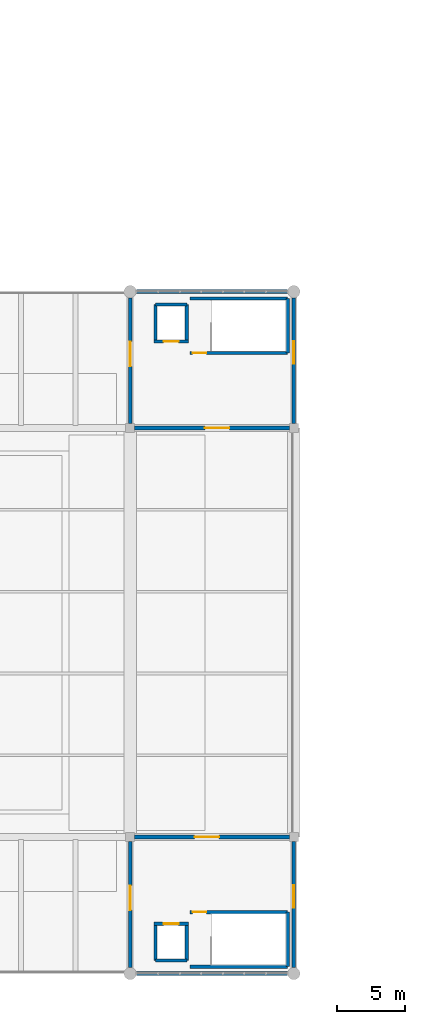
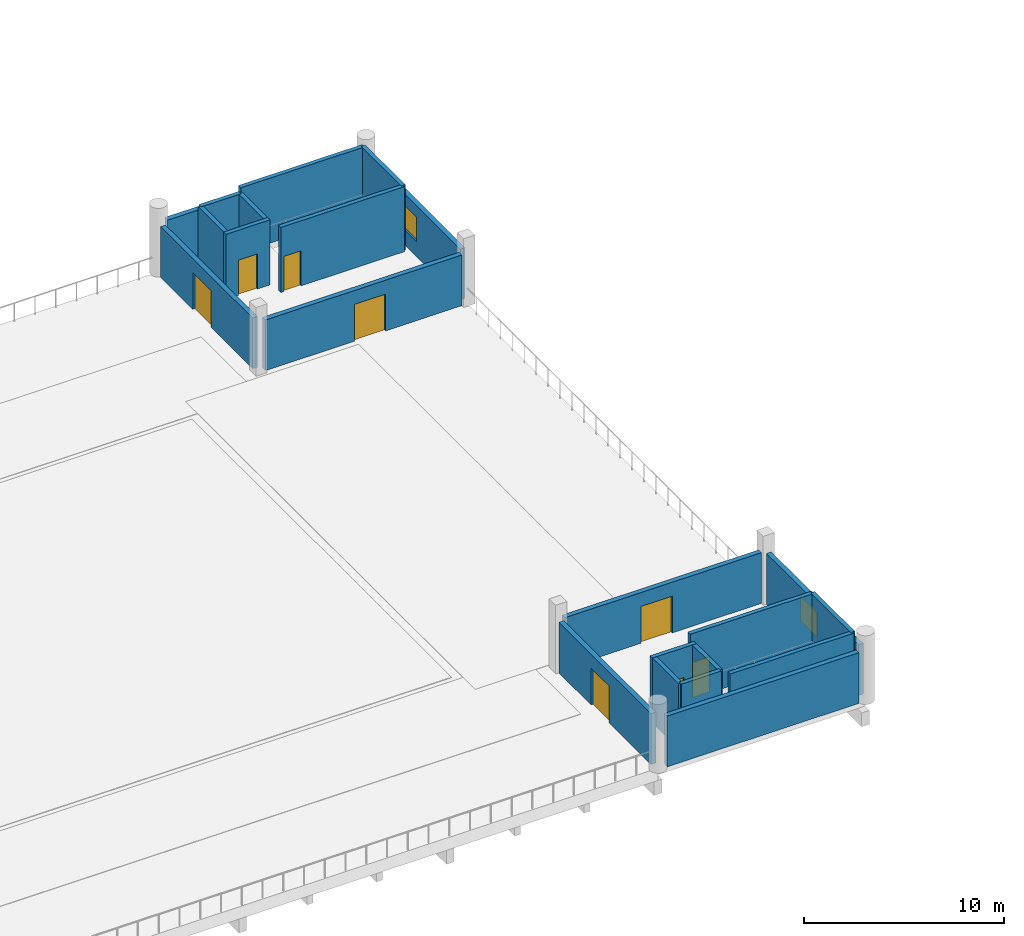
# One storey, part 103 of 111: 22 walls, 8 doors, 2 windows, 10 openings.
"""IFC4 building model written with IfcOpenShell, lengths in metres."""

from ifc_helpers import new_model, si_unit, direction, frame, frame_2d, origin, place, context, subcontext, project, spatial, rectangle, extrude, material, layer, layer_set, type_object, element, fill, save


model = new_model("IFC4")

# Units and contexts
model_context = context("Model", 3, precision=1e-05, world=origin(), true_north=direction((0.0, 1.0)))
body_context = subcontext(model_context, "Body", "Model", "MODEL_VIEW")
ifc_project = project(units=[si_unit("LENGTHUNIT", "METRE"), si_unit("AREAUNIT", "SQUARE_METRE"), si_unit("VOLUMEUNIT", "CUBIC_METRE"), si_unit("PLANEANGLEUNIT", "RADIAN"), si_unit("MASSUNIT", "GRAM", prefix="KILO")], contexts=[model_context])

# Site, building, storey
site_placement = place(None, origin())
site = spatial("IfcSite", under=ifc_project, at=site_placement, CompositionType="ELEMENT")
building_placement = place(site_placement, origin())
building = spatial("IfcBuilding", under=site, at=building_placement, Name="Mersad Railyard Sports Hall", CompositionType="ELEMENT")
storey_placement = place(building_placement, frame((0.0, 0.0, 9.0)))
storey = spatial("IfcBuildingStorey", under=building, at=storey_placement, Name="L02", CompositionType="ELEMENT", Elevation=9.0)

# Wall, opening, door
ifc_material_1 = material(Name="Precast concrete C45/55", Category="concrete")
ifc_layer_1 = layer(ifc_material_1, 0.280029296875)
ifc_layer_set_1 = layer_set([ifc_layer_1], Name="Precast concrete C45/55")
wall_type_1 = type_object("IfcWallType", Name="ARC-WL-EW03", PredefinedType="SOLIDWALL", material=ifc_layer_set_1)
wall_1_placement = place(storey_placement, frame((79.0, 3.949951171875, 0.0), z_axis=(0.0, 0.0, 1.0), x_axis=(0.0, 1.0, 0.0)))
wall_1 = element("IfcWall", 1, at=wall_1_placement, inside=storey, type_object=wall_type_1, Name="External wall EW03-0061", PredefinedType="SOLIDWALL", context=body_context, shape_type="SweptSolid", body=[
    extrude(rectangle(XDim=9.22509765625, YDim=0.280029296875, at=frame_2d((4.612548828125, 0.0))), origin(), (0.0, 0.0, 1.0), 3.10009765625),
])
opening_1_placement = place(wall_1_placement, frame((4.199951171875, 0.0, 0.0)))
opening_1 = element("IfcOpeningElement", 2, at=opening_1_placement, cuts=wall_1, Name="Opening TD01", PredefinedType="OPENING", context=body_context, shape_type="SweptSolid", body=[
    extrude(rectangle(XDim=1.800048828125, YDim=2.25, at=frame_2d((0.89990234375, 1.125))), frame((0.0, 0.14990234375, 0.0), z_axis=(0.0, -1.0, 0.0), x_axis=(1.0, 0.0, 0.0)), (0.0, 0.0, 1.0), 0.300048828125),
])
ifc_material_2 = material(Name="Aluminium 6063-T6", Category="aluminium")
door_type_1 = type_object("IfcDoorType", Name="ARC-DR-TD01", OperationType="NOTDEFINED", PredefinedType="DOOR", material=ifc_material_2)
door_1_placement = place(opening_1_placement, origin())
door_1 = element("IfcDoor", 3, at=door_1_placement, inside=storey, type_object=door_type_1, Name="SE rooftop pitch door TD01-011", OperationType="DOUBLE_DOOR_SINGLE_SWING", OverallHeight=2.25, OverallWidth=1.800048828125, PredefinedType="DOOR", context=body_context, shape_type="SweptSolid", body=[
    extrude(rectangle(XDim=1.800048828125, YDim=2.25, at=frame_2d((0.89990234375, 1.125))), frame((0.0, 0.02490234375, 0.0), z_axis=(0.0, -1.0, 0.0), x_axis=(1.0, 0.0, 0.0)), (0.0, 0.0, 1.0), 0.050048828125),
])
fill(opening_1, door_1)

wall_2_placement = place(storey_placement, frame((79.324951171875, 13.5, 0.0), z_axis=(0.0, 0.0, 1.0), x_axis=(1.0, 0.0, 0.0)))
wall_2 = element("IfcWall", 4, at=wall_2_placement, inside=storey, type_object=wall_type_1, Name="External wall EW03-0062", PredefinedType="SOLIDWALL", context=body_context, shape_type="SweptSolid", body=[
    extrude(rectangle(XDim=11.35009765625, YDim=0.280029296875, at=frame_2d((5.675048828125, 0.0))), origin(), (0.0, 0.0, 1.0), 3.10009765625),
])
opening_2_placement = place(wall_2_placement, frame((4.39990234375, 0.0, 0.0)))
opening_2 = element("IfcOpeningElement", 5, at=opening_2_placement, cuts=wall_2, Name="Opening TD01", PredefinedType="OPENING", context=body_context, shape_type="SweptSolid", body=[
    extrude(rectangle(XDim=1.800048828125, YDim=2.25, at=frame_2d((0.89990234375, 1.125))), frame((0.0, 0.14990234375, 0.0), z_axis=(0.0, -1.0, 0.0), x_axis=(1.0, 0.0, 0.0)), (0.0, 0.0, 1.0), 0.300048828125),
])
door_2_placement = place(opening_2_placement, origin())
door_2 = element("IfcDoor", 6, at=door_2_placement, inside=storey, type_object=door_type_1, Name="SE rooftop pitch door TD01-012", OperationType="DOUBLE_DOOR_SINGLE_SWING", OverallHeight=2.25, OverallWidth=1.800048828125, PredefinedType="DOOR", context=body_context, shape_type="SweptSolid", body=[
    extrude(rectangle(XDim=1.800048828125, YDim=2.25, at=frame_2d((0.89990234375, 1.125))), frame((0.0, 0.02490234375, 0.0), z_axis=(0.0, -1.0, 0.0), x_axis=(1.0, 0.0, 0.0)), (0.0, 0.0, 1.0), 0.050048828125),
])
fill(opening_2, door_2)

# Wall, opening, window
wall_3_placement = place(storey_placement, frame((91.0, 13.175048828125, 0.0), z_axis=(0.0, 0.0, 1.0), x_axis=(0.0, -1.0, 0.0)))
wall_3 = element("IfcWall", 7, at=wall_3_placement, inside=storey, type_object=wall_type_1, Name="External wall EW03-0063", PredefinedType="SOLIDWALL", context=body_context, shape_type="SweptSolid", body=[
    extrude(rectangle(XDim=9.22509765625, YDim=0.280029296875, at=frame_2d((4.612548828125, 0.0))), origin(), (0.0, 0.0, 1.0), 3.10009765625),
])
opening_3_placement = place(wall_3_placement, frame((3.199951171875, 0.0, 0.89990234375)))
opening_3 = element("IfcOpeningElement", 8, at=opening_3_placement, cuts=wall_3, Name="Opening W04", PredefinedType="OPENING", context=body_context, shape_type="SweptSolid", body=[
    extrude(rectangle(XDim=1.64990234375, YDim=1.5, at=frame_2d((0.824951171875, 0.75))), frame((0.0, 0.14990234375, 0.0), z_axis=(0.0, -1.0, 0.0), x_axis=(1.0, 0.0, 0.0)), (0.0, 0.0, 1.0), 0.300048828125),
])
ifc_material_3 = material(Name="Solar-control glass", Category="glass")
window_type = type_object("IfcWindowType", Name="ARC-WN-W04", PartitioningType="SINGLE_PANEL", PredefinedType="WINDOW", material=ifc_material_3)
window_1_placement = place(opening_3_placement, origin())
window_1 = element("IfcWindow", 9, at=window_1_placement, inside=storey, type_object=window_type, Name="Window W04-0010", OverallHeight=1.5, OverallWidth=1.64990234375, PartitioningType="SINGLE_PANEL", PredefinedType="WINDOW", context=body_context, shape_type="SweptSolid", body=[
    extrude(rectangle(XDim=1.64990234375, YDim=1.5, at=frame_2d((0.824951171875, 0.75))), frame((0.0, 0.030029296875, 0.0), z_axis=(0.0, -1.0, 0.0), x_axis=(1.0, 0.0, 0.0)), (0.0, 0.0, 1.0), 0.06005859375),
])
fill(opening_3, window_1)

# Wall
wall_4_placement = place(storey_placement, frame((90.550048828125, 3.5, 0.0), z_axis=(0.0, 0.0, 1.0), x_axis=(-1.0, 0.0, 0.0)))
element("IfcWall", 10, at=wall_4_placement, inside=storey, type_object=wall_type_1, Name="External wall EW03-0064", PredefinedType="SOLIDWALL", context=body_context, shape_type="SweptSolid", body=[
    extrude(rectangle(XDim=11.10009765625, YDim=0.280029296875, at=frame_2d((5.550048828125, 0.0))), origin(), (0.0, 0.0, 1.0), 3.10009765625),
])

# Wall, opening, door
wall_5_placement = place(storey_placement, frame((79.0, 43.824951171875, 0.0), z_axis=(0.0, 0.0, 1.0), x_axis=(0.0, 1.0, 0.0)))
wall_5 = element("IfcWall", 11, at=wall_5_placement, inside=storey, type_object=wall_type_1, Name="External wall EW03-0069", PredefinedType="SOLIDWALL", context=body_context, shape_type="SweptSolid", body=[
    extrude(rectangle(XDim=9.22509765625, YDim=0.280029296875, at=frame_2d((4.612548828125, 0.0))), origin(), (0.0, 0.0, 1.0), 3.10009765625),
])
opening_4_placement = place(wall_5_placement, frame((4.199951171875, 0.0, 0.0)))
opening_4 = element("IfcOpeningElement", 12, at=opening_4_placement, cuts=wall_5, Name="Opening TD01", PredefinedType="OPENING", context=body_context, shape_type="SweptSolid", body=[
    extrude(rectangle(XDim=1.800048828125, YDim=2.25, at=frame_2d((0.89990234375, 1.125))), frame((0.0, 0.14990234375, 0.0), z_axis=(0.0, -1.0, 0.0), x_axis=(1.0, 0.0, 0.0)), (0.0, 0.0, 1.0), 0.300048828125),
])
door_3_placement = place(opening_4_placement, origin())
door_3 = element("IfcDoor", 13, at=door_3_placement, inside=storey, type_object=door_type_1, Name="NE rooftop pitch door TD01-015", OperationType="DOUBLE_DOOR_SINGLE_SWING", OverallHeight=2.25, OverallWidth=1.800048828125, PredefinedType="DOOR", context=body_context, shape_type="SweptSolid", body=[
    extrude(rectangle(XDim=1.800048828125, YDim=2.25, at=frame_2d((0.89990234375, 1.125))), frame((0.0, 0.02490234375, 0.0), z_axis=(0.0, -1.0, 0.0), x_axis=(1.0, 0.0, 0.0)), (0.0, 0.0, 1.0), 0.050048828125),
])
fill(opening_4, door_3)

# Wall
wall_6_placement = place(storey_placement, frame((79.449951171875, 53.5, 0.0), z_axis=(0.0, 0.0, 1.0), x_axis=(1.0, 0.0, 0.0)))
element("IfcWall", 14, at=wall_6_placement, inside=storey, type_object=wall_type_1, Name="External wall EW03-0070", PredefinedType="SOLIDWALL", context=body_context, shape_type="SweptSolid", body=[
    extrude(rectangle(XDim=11.10009765625, YDim=0.280029296875, at=frame_2d((5.550048828125, 0.0))), origin(), (0.0, 0.0, 1.0), 3.10009765625),
])

# Wall, opening, window
wall_7_placement = place(storey_placement, frame((91.0, 53.050048828125, 0.0), z_axis=(0.0, 0.0, 1.0), x_axis=(0.0, -1.0, 0.0)))
wall_7 = element("IfcWall", 15, at=wall_7_placement, inside=storey, type_object=wall_type_1, Name="External wall EW03-0071", PredefinedType="SOLIDWALL", context=body_context, shape_type="SweptSolid", body=[
    extrude(rectangle(XDim=9.22509765625, YDim=0.280029296875, at=frame_2d((4.612548828125, 0.0))), origin(), (0.0, 0.0, 1.0), 3.10009765625),
])
opening_5_placement = place(wall_7_placement, frame((3.199951171875, 0.0, 0.89990234375)))
opening_5 = element("IfcOpeningElement", 16, at=opening_5_placement, cuts=wall_7, Name="Opening W04", PredefinedType="OPENING", context=body_context, shape_type="SweptSolid", body=[
    extrude(rectangle(XDim=1.64990234375, YDim=1.5, at=frame_2d((0.824951171875, 0.75))), frame((0.0, 0.14990234375, 0.0), z_axis=(0.0, -1.0, 0.0), x_axis=(1.0, 0.0, 0.0)), (0.0, 0.0, 1.0), 0.300048828125),
])
window_2_placement = place(opening_5_placement, origin())
window_2 = element("IfcWindow", 17, at=window_2_placement, inside=storey, type_object=window_type, Name="Window W04-0012", OverallHeight=1.5, OverallWidth=1.64990234375, PartitioningType="SINGLE_PANEL", PredefinedType="WINDOW", context=body_context, shape_type="SweptSolid", body=[
    extrude(rectangle(XDim=1.64990234375, YDim=1.5, at=frame_2d((0.824951171875, 0.75))), frame((0.0, 0.030029296875, 0.0), z_axis=(0.0, -1.0, 0.0), x_axis=(1.0, 0.0, 0.0)), (0.0, 0.0, 1.0), 0.06005859375),
])
fill(opening_5, window_2)

# Wall, opening, door
wall_8_placement = place(storey_placement, frame((90.675048828125, 43.5, 0.0), z_axis=(0.0, 0.0, 1.0), x_axis=(-1.0, 0.0, 0.0)))
wall_8 = element("IfcWall", 18, at=wall_8_placement, inside=storey, type_object=wall_type_1, Name="External wall EW03-0072", PredefinedType="SOLIDWALL", context=body_context, shape_type="SweptSolid", body=[
    extrude(rectangle(XDim=11.35009765625, YDim=0.280029296875, at=frame_2d((5.675048828125, 0.0))), origin(), (0.0, 0.0, 1.0), 3.10009765625),
])
opening_6_placement = place(wall_8_placement, frame((4.39990234375, 0.0, 0.0)))
opening_6 = element("IfcOpeningElement", 19, at=opening_6_placement, cuts=wall_8, Name="Opening TD01", PredefinedType="OPENING", context=body_context, shape_type="SweptSolid", body=[
    extrude(rectangle(XDim=1.800048828125, YDim=2.25, at=frame_2d((0.89990234375, 1.125))), frame((0.0, 0.14990234375, 0.0), z_axis=(0.0, -1.0, 0.0), x_axis=(1.0, 0.0, 0.0)), (0.0, 0.0, 1.0), 0.300048828125),
])
door_4_placement = place(opening_6_placement, origin())
door_4 = element("IfcDoor", 20, at=door_4_placement, inside=storey, type_object=door_type_1, Name="NE rooftop pitch door TD01-016", OperationType="DOUBLE_DOOR_SINGLE_SWING", OverallHeight=2.25, OverallWidth=1.800048828125, PredefinedType="DOOR", context=body_context, shape_type="SweptSolid", body=[
    extrude(rectangle(XDim=1.800048828125, YDim=2.25, at=frame_2d((0.89990234375, 1.125))), frame((0.0, 0.02490234375, 0.0), z_axis=(0.0, -1.0, 0.0), x_axis=(1.0, 0.0, 0.0)), (0.0, 0.0, 1.0), 0.050048828125),
])
fill(opening_6, door_4)

# Walls
ifc_material_4 = material(Name="Concrete C40/50", Category="concrete")
ifc_layer_2 = layer(ifc_material_4, 0.239990234375)
ifc_layer_set_2 = layer_set([ifc_layer_2], Name="Concrete C40/50")
wall_type_2 = type_object("IfcWallType", Name="STR-WL-SW03", PredefinedType="SHEAR", material=ifc_layer_set_2)
for number, where, z_axis, x_axis, name in (
    (21, (80.85009765625, 4.449951171875, 0.0), (0.0, 0.0, 1.0), (0.0, 1.0, 0.0), "Interior wall SW03-0125"),
    (22, (83.14990234375, 7.14990234375, 0.0), (0.0, 0.0, 1.0), (0.0, -1.0, 0.0), "Interior wall SW03-0126"),
):
    element("IfcWall", number, at=place(storey_placement, frame(where, z_axis=z_axis, x_axis=x_axis)), inside=storey, type_object=wall_type_2, Name=name, PredefinedType="SHEAR", context=body_context, shape_type="SweptSolid", body=[
        extrude(rectangle(XDim=2.699951171875, YDim=0.239990234375, at=frame_2d((1.35009765625, 0.0))), origin(), (0.0, 0.0, 1.0), 3.97998046875),
    ])
wall_9_placement = place(storey_placement, frame((83.14990234375, 4.449951171875, 0.0), z_axis=(0.0, 0.0, 1.0), x_axis=(-1.0, 0.0, 0.0)))
element("IfcWall", 23, at=wall_9_placement, inside=storey, type_object=wall_type_2, Name="Interior wall SW03-0127", PredefinedType="SHEAR", context=body_context, shape_type="SweptSolid", body=[
    extrude(rectangle(XDim=2.2998046875, YDim=0.239990234375, at=frame_2d((1.14990234375, 0.0))), origin(), (0.0, 0.0, 1.0), 3.97998046875),
])

# Wall, opening, door
wall_10_placement = place(storey_placement, frame((80.72998046875, 7.14990234375, 0.0), z_axis=(0.0, 0.0, 1.0), x_axis=(1.0, 0.0, 0.0)))
wall_10 = element("IfcWall", 24, at=wall_10_placement, inside=storey, type_object=wall_type_2, Name="Interior wall SW03-0128", PredefinedType="SHEAR", context=body_context, shape_type="SweptSolid", body=[
    extrude(rectangle(XDim=2.5400390625, YDim=0.239990234375, at=frame_2d((1.27001953125, 0.0))), origin(), (0.0, 0.0, 1.0), 3.97998046875),
])
opening_7_placement = place(wall_10_placement, frame((0.719970703125, 0.0, 0.0)))
opening_7 = element("IfcOpeningElement", 25, at=opening_7_placement, cuts=wall_10, Name="Opening LD01", PredefinedType="OPENING", context=body_context, shape_type="SweptSolid", body=[
    extrude(rectangle(XDim=1.10009765625, YDim=2.14990234375, at=frame_2d((0.550048828125, 1.074951171875))), frame((0.0, 0.1298828125, 0.0), z_axis=(0.0, -1.0, 0.0), x_axis=(1.0, 0.0, 0.0)), (0.0, 0.0, 1.0), 0.260009765625),
])
ifc_material_5 = material(Name="Steel S355", Category="steel")
door_type_2 = type_object("IfcDoorType", Name="ARC-DR-LD01", OperationType="NOTDEFINED", PredefinedType="USERDEFINED", material=ifc_material_5)
door_5_placement = place(opening_7_placement, origin())
door_5 = element("IfcDoor", 26, at=door_5_placement, inside=storey, type_object=door_type_2, Name="Lift PL-08 landing door LD01-0034", ObjectType="LANDING DOOR", OperationType="DOUBLE_DOOR_SLIDING", OverallHeight=2.14990234375, OverallWidth=1.10009765625, PredefinedType="USERDEFINED", context=body_context, shape_type="SweptSolid", body=[
    extrude(rectangle(XDim=1.10009765625, YDim=2.14990234375, at=frame_2d((0.550048828125, 1.074951171875))), frame((0.0, 0.02490234375, 0.0), z_axis=(0.0, -1.0, 0.0), x_axis=(1.0, 0.0, 0.0)), (0.0, 0.0, 1.0), 0.050048828125),
])
fill(opening_7, door_5)

# Walls
for number, where, z_axis, x_axis, name in (
    (27, (80.85009765625, 49.85009765625, 0.0), (0.0, 0.0, 1.0), (0.0, 1.0, 0.0), "Interior wall SW03-0147"),
    (28, (83.14990234375, 52.550048828125, 0.0), (0.0, 0.0, 1.0), (0.0, -1.0, 0.0), "Interior wall SW03-0148"),
):
    element("IfcWall", number, at=place(storey_placement, frame(where, z_axis=z_axis, x_axis=x_axis)), inside=storey, type_object=wall_type_2, Name=name, PredefinedType="SHEAR", context=body_context, shape_type="SweptSolid", body=[
        extrude(rectangle(XDim=2.699951171875, YDim=0.239990234375, at=frame_2d((1.35009765625, 0.0))), origin(), (0.0, 0.0, 1.0), 3.97998046875),
    ])
wall_11_placement = place(storey_placement, frame((80.85009765625, 52.550048828125, 0.0), z_axis=(0.0, 0.0, 1.0), x_axis=(1.0, 0.0, 0.0)))
element("IfcWall", 29, at=wall_11_placement, inside=storey, type_object=wall_type_2, Name="Interior wall SW03-0149", PredefinedType="SHEAR", context=body_context, shape_type="SweptSolid", body=[
    extrude(rectangle(XDim=2.2998046875, YDim=0.239990234375, at=frame_2d((1.14990234375, 0.0))), origin(), (0.0, 0.0, 1.0), 3.97998046875),
])

# Wall, opening, door
wall_12_placement = place(storey_placement, frame((83.27001953125, 49.85009765625, 0.0), z_axis=(0.0, 0.0, 1.0), x_axis=(-1.0, 0.0, 0.0)))
wall_12 = element("IfcWall", 30, at=wall_12_placement, inside=storey, type_object=wall_type_2, Name="Interior wall SW03-0150", PredefinedType="SHEAR", context=body_context, shape_type="SweptSolid", body=[
    extrude(rectangle(XDim=2.5400390625, YDim=0.239990234375, at=frame_2d((1.27001953125, 0.0))), origin(), (0.0, 0.0, 1.0), 3.97998046875),
])
opening_8_placement = place(wall_12_placement, frame((0.719970703125, 0.0, 0.0)))
opening_8 = element("IfcOpeningElement", 31, at=opening_8_placement, cuts=wall_12, Name="Opening LD01", PredefinedType="OPENING", context=body_context, shape_type="SweptSolid", body=[
    extrude(rectangle(XDim=1.10009765625, YDim=2.14990234375, at=frame_2d((0.550048828125, 1.074951171875))), frame((0.0, 0.1298828125, 0.0), z_axis=(0.0, -1.0, 0.0), x_axis=(1.0, 0.0, 0.0)), (0.0, 0.0, 1.0), 0.260009765625),
])
door_6_placement = place(opening_8_placement, origin())
door_6 = element("IfcDoor", 32, at=door_6_placement, inside=storey, type_object=door_type_2, Name="Lift PL-10 landing door LD01-0040", ObjectType="LANDING DOOR", OperationType="DOUBLE_DOOR_SLIDING", OverallHeight=2.14990234375, OverallWidth=1.10009765625, PredefinedType="USERDEFINED", context=body_context, shape_type="SweptSolid", body=[
    extrude(rectangle(XDim=1.10009765625, YDim=2.14990234375, at=frame_2d((0.550048828125, 1.074951171875))), frame((0.0, 0.02490234375, 0.0), z_axis=(0.0, -1.0, 0.0), x_axis=(1.0, 0.0, 0.0)), (0.0, 0.0, 1.0), 0.050048828125),
])
fill(opening_8, door_6)

# Walls
wall_13_placement = place(storey_placement, frame((90.550048828125, 4.0, 0.0), z_axis=(0.0, 0.0, 1.0), x_axis=(0.0, 1.0, 0.0)))
element("IfcWall", 33, at=wall_13_placement, inside=storey, type_object=wall_type_2, Name="Interior wall SW03-0320", PredefinedType="SHEAR", context=body_context, shape_type="SweptSolid", body=[
    extrude(rectangle(XDim=4.0, YDim=0.239990234375, at=frame_2d((2.0, 0.0))), origin(), (0.0, 0.0, 1.0), 3.97998046875),
])
wall_14_placement = place(storey_placement, frame((83.39990234375, 4.0, 0.0), z_axis=(0.0, 0.0, 1.0), x_axis=(1.0, 0.0, 0.0)))
element("IfcWall", 34, at=wall_14_placement, inside=storey, type_object=wall_type_2, Name="Interior wall SW03-0321", PredefinedType="SHEAR", context=body_context, shape_type="SweptSolid", body=[
    extrude(rectangle(XDim=7.150146484375, YDim=0.239990234375, at=frame_2d((3.5751953125, 0.0))), origin(), (0.0, 0.0, 1.0), 3.97998046875),
])

# Wall, opening, door
wall_15_placement = place(storey_placement, frame((83.39990234375, 8.0, 0.0), z_axis=(0.0, 0.0, 1.0), x_axis=(1.0, 0.0, 0.0)))
wall_15 = element("IfcWall", 35, at=wall_15_placement, inside=storey, type_object=wall_type_2, Name="Interior wall SW03-0322", PredefinedType="SHEAR", context=body_context, shape_type="SweptSolid", body=[
    extrude(rectangle(XDim=7.150146484375, YDim=0.239990234375, at=frame_2d((3.5751953125, 0.0))), origin(), (0.0, 0.0, 1.0), 3.97998046875),
])
opening_9_placement = place(wall_15_placement, frame((0.179931640625, 0.0, 0.0)))
opening_9 = element("IfcOpeningElement", 36, at=opening_9_placement, cuts=wall_15, Name="Opening FD02", PredefinedType="OPENING", context=body_context, shape_type="SweptSolid", body=[
    extrude(rectangle(XDim=1.0, YDim=2.14990234375, at=frame_2d((0.5, 1.074951171875))), frame((0.0, 0.1298828125, 0.0), z_axis=(0.0, -1.0, 0.0), x_axis=(1.0, 0.0, 0.0)), (0.0, 0.0, 1.0), 0.260009765625),
])
door_type_3 = type_object("IfcDoorType", Name="ARC-DR-FD02", OperationType="NOTDEFINED", PredefinedType="DOOR", material=ifc_material_5)
door_7_placement = place(opening_9_placement, origin())
door_7 = element("IfcDoor", 37, at=door_7_placement, inside=storey, type_object=door_type_3, Name="SE pavilion stair door FD02-0146", OperationType="SINGLE_SWING_LEFT", OverallHeight=2.14990234375, OverallWidth=1.0, PredefinedType="DOOR", context=body_context, shape_type="SweptSolid", body=[
    extrude(rectangle(XDim=1.0, YDim=2.14990234375, at=frame_2d((0.5, 1.074951171875))), frame((0.0, 0.02490234375, 0.0), z_axis=(0.0, -1.0, 0.0), x_axis=(1.0, 0.0, 0.0)), (0.0, 0.0, 1.0), 0.050048828125),
])
fill(opening_9, door_7)

# Walls
wall_16_placement = place(storey_placement, frame((90.550048828125, 49.0, 0.0), z_axis=(0.0, 0.0, 1.0), x_axis=(0.0, 1.0, 0.0)))
element("IfcWall", 38, at=wall_16_placement, inside=storey, type_object=wall_type_2, Name="Interior wall SW03-0345", PredefinedType="SHEAR", context=body_context, shape_type="SweptSolid", body=[
    extrude(rectangle(XDim=4.0, YDim=0.239990234375, at=frame_2d((2.0, 0.0))), origin(), (0.0, 0.0, 1.0), 3.97998046875),
])
wall_17_placement = place(storey_placement, frame((83.39990234375, 53.0, 0.0), z_axis=(0.0, 0.0, 1.0), x_axis=(1.0, 0.0, 0.0)))
element("IfcWall", 39, at=wall_17_placement, inside=storey, type_object=wall_type_2, Name="Interior wall SW03-0346", PredefinedType="SHEAR", context=body_context, shape_type="SweptSolid", body=[
    extrude(rectangle(XDim=7.150146484375, YDim=0.239990234375, at=frame_2d((3.5751953125, 0.0))), origin(), (0.0, 0.0, 1.0), 3.97998046875),
])

# Wall, opening, door
wall_18_placement = place(storey_placement, frame((83.39990234375, 49.0, 0.0), z_axis=(0.0, 0.0, 1.0), x_axis=(1.0, 0.0, 0.0)))
wall_18 = element("IfcWall", 40, at=wall_18_placement, inside=storey, type_object=wall_type_2, Name="Interior wall SW03-0347", PredefinedType="SHEAR", context=body_context, shape_type="SweptSolid", body=[
    extrude(rectangle(XDim=7.150146484375, YDim=0.239990234375, at=frame_2d((3.5751953125, 0.0))), origin(), (0.0, 0.0, 1.0), 3.97998046875),
])
opening_10_placement = place(wall_18_placement, frame((0.179931640625, 0.0, 0.0)))
opening_10 = element("IfcOpeningElement", 41, at=opening_10_placement, cuts=wall_18, Name="Opening FD02", PredefinedType="OPENING", context=body_context, shape_type="SweptSolid", body=[
    extrude(rectangle(XDim=1.0, YDim=2.14990234375, at=frame_2d((0.5, 1.074951171875))), frame((0.0, 0.1298828125, 0.0), z_axis=(0.0, -1.0, 0.0), x_axis=(1.0, 0.0, 0.0)), (0.0, 0.0, 1.0), 0.260009765625),
])
door_8_placement = place(opening_10_placement, origin())
door_8 = element("IfcDoor", 42, at=door_8_placement, inside=storey, type_object=door_type_3, Name="NE pavilion stair door FD02-0156", OperationType="SINGLE_SWING_LEFT", OverallHeight=2.14990234375, OverallWidth=1.0, PredefinedType="DOOR", context=body_context, shape_type="SweptSolid", body=[
    extrude(rectangle(XDim=1.0, YDim=2.14990234375, at=frame_2d((0.5, 1.074951171875))), frame((0.0, 0.02490234375, 0.0), z_axis=(0.0, -1.0, 0.0), x_axis=(1.0, 0.0, 0.0)), (0.0, 0.0, 1.0), 0.050048828125),
])
fill(opening_10, door_8)

save(model, "model.ifc")
